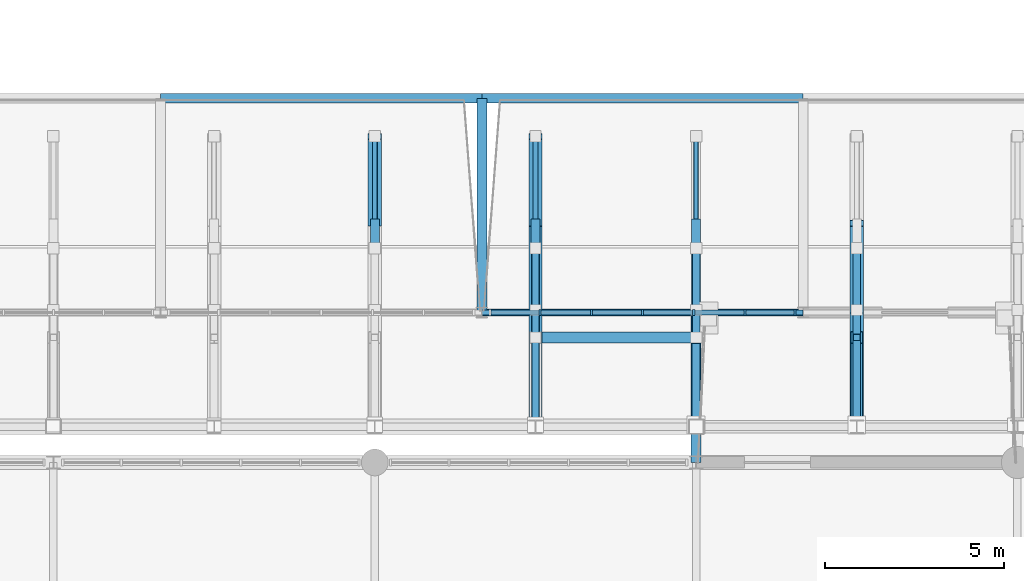
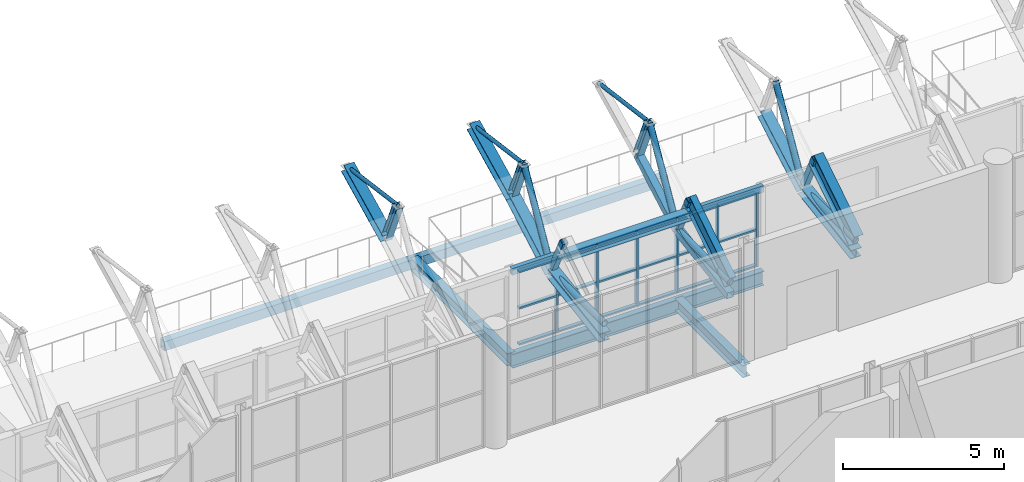
# One storey, part 60 of 134: 48 members, 8 beams, 1 element without a shape of its own.
"""IFC4 building model written with IfcOpenShell, lengths in metres."""

from ifc_helpers import new_model, si_unit, direction, frame, origin, origin_2d, place, context, subcontext, project, spatial, rectangle, hollow_rectangle, hollow_circle, i_section, extrude, material, layer, layer_set, material_profile, profile_set, type_object, element, aggregate, save


model = new_model("IFC4")

# Units and contexts
model_context = context("Model", 3, precision=1e-05, world=origin(), true_north=direction((0.0, 1.0)))
body_context = subcontext(model_context, "Body", "Model", "MODEL_VIEW")
ifc_project = project(units=[si_unit("LENGTHUNIT", "METRE"), si_unit("AREAUNIT", "SQUARE_METRE"), si_unit("VOLUMEUNIT", "CUBIC_METRE"), si_unit("PLANEANGLEUNIT", "RADIAN"), si_unit("MASSUNIT", "GRAM", prefix="KILO")], contexts=[model_context])

# Site, building, storey
site_placement = place(None, origin())
site = spatial("IfcSite", under=ifc_project, at=site_placement, CompositionType="ELEMENT")
building_placement = place(site_placement, origin())
building = spatial("IfcBuilding", under=site, at=building_placement, Name="Cazmaro Siding Exhibition Halls", CompositionType="ELEMENT")
storey_placement = place(building_placement, frame((0.0, 0.0, 12.0)))
storey = spatial("IfcBuildingStorey", under=building, at=storey_placement, Name="L02", CompositionType="ELEMENT", Elevation=12.0)

# Beams
ifc_material_1 = material(Name="Steel ASTM A992 Grade 50", Category="steel")
ifc_material_profile_1 = material_profile(ifc_material_1, i_section(OverallWidth=0.327880859375, OverallDepth=0.626953125, WebThickness=0.01708984375, FlangeThickness=0.028076171875, at=origin_2d()), Name="W24X146")
ifc_profile_set_1 = profile_set([ifc_material_profile_1], Name="Steel ASTM A992 Grade 50")
beam_type_1 = type_object("IfcBeamType", Name="AR-01", PredefinedType="USERDEFINED", material=ifc_profile_set_1)
beam_1_placement = place(storey_placement, frame((85.5, 64.0, 2.300048828125), z_axis=(0.0, 0.843339173298, 0.537381650954), x_axis=(-1.0, 0.0, 0.0)))
element("IfcBeam", 1, at=beam_1_placement, inside=storey, type_object=beam_type_1, Name="Space frame barrel vault arched rib AR-01 BM-0751", ObjectType="ARCHED RIB", PredefinedType="USERDEFINED", context=body_context, shape_type="SweptSolid", body=[
    extrude(i_section(OverallWidth=0.327880859375, OverallDepth=0.626953125, WebThickness=0.01708984375, FlangeThickness=0.028076171875, at=origin_2d()), origin(), (0.0, 0.0, 1.0), 2.96435546875),
])
ifc_material_2 = material(Name="Steel ASTM A992 Grade 50", Category="steel")
ifc_material_profile_2 = material_profile(ifc_material_2, i_section(OverallWidth=0.22900390625, OverallDepth=0.612060546875, WebThickness=0.011962890625, FlangeThickness=0.02001953125, at=origin_2d()), Name="W24X84")
ifc_profile_set_2 = profile_set([ifc_material_profile_2], Name="Steel ASTM A992 Grade 50")
beam_type_2 = type_object("IfcBeamType", Name="AR-03", PredefinedType="USERDEFINED", material=ifc_profile_set_2)
beam_2_placement = place(storey_placement, frame((81.0, 64.0, 2.300048828125), z_axis=(0.0, 0.843339173298, 0.537381650954), x_axis=(-1.0, 0.0, 0.0)))
element("IfcBeam", 2, at=beam_2_placement, inside=storey, type_object=beam_type_2, Name="Space frame barrel vault arched rib AR-03 BM-0727", ObjectType="ARCHED RIB", PredefinedType="USERDEFINED", context=body_context, shape_type="SweptSolid", body=[
    extrude(i_section(OverallWidth=0.22900390625, OverallDepth=0.612060546875, WebThickness=0.011962890625, FlangeThickness=0.02001953125, at=origin_2d()), origin(), (0.0, 0.0, 1.0), 2.96435546875),
])
ifc_material_3 = material(Name="Steel ASTM A992 Grade 50", Category="steel")
ifc_material_profile_3 = material_profile(ifc_material_3, i_section(OverallWidth=0.2099609375, OverallDepth=0.535888671875, WebThickness=0.010986328125, FlangeThickness=0.01708984375, at=origin_2d()), Name="W21X68")
ifc_profile_set_3 = profile_set([ifc_material_profile_3], Name="Steel ASTM A992 Grade 50")
beam_type_3 = type_object("IfcBeamType", Name="B-02", PredefinedType="BEAM", material=ifc_profile_set_3)
beam_3_placement = place(storey_placement, frame((75.0, 67.199951171875, -0.488037109375), z_axis=(1.0, 0.0, 0.0), x_axis=(0.0, 1.0, 0.0)))
element("IfcBeam", 3, at=beam_3_placement, inside=storey, type_object=beam_type_3, Name="Beam B-02 BM-0455", PredefinedType="BEAM", context=body_context, shape_type="SweptSolid", body=[
    extrude(i_section(OverallWidth=0.2099609375, OverallDepth=0.535888671875, WebThickness=0.010986328125, FlangeThickness=0.01708984375, at=origin_2d()), origin(), (0.0, 0.0, 1.0), 9.0),
])
ifc_material_4 = material(Name="Steel ASTM A992 Grade 50", Category="steel")
ifc_material_profile_4 = material_profile(ifc_material_4, i_section(OverallWidth=0.279052734375, OverallDepth=0.4619140625, WebThickness=0.010986328125, FlangeThickness=0.01708984375, at=origin_2d()), Name="W18X76")
ifc_profile_set_4 = profile_set([ifc_material_profile_4], Name="Steel ASTM A992 Grade 50")
beam_type_4 = type_object("IfcBeamType", Name="B-03", PredefinedType="BEAM", material=ifc_profile_set_4)
beam_4_placement = place(storey_placement, frame((75.0, 67.199951171875, -0.450927734375), z_axis=(0.0, 1.0, 0.0), x_axis=(-1.0, 0.0, 0.0)))
element("IfcBeam", 4, at=beam_4_placement, inside=storey, type_object=beam_type_4, Name="Beam B-03 BM-0475", PredefinedType="BEAM", context=body_context, shape_type="SweptSolid", body=[
    extrude(i_section(OverallWidth=0.279052734375, OverallDepth=0.4619140625, WebThickness=0.010986328125, FlangeThickness=0.01708984375, at=origin_2d()), origin(), (0.0, 0.0, 1.0), 6.0),
])
beam_5_placement = place(storey_placement, frame((81.0, 63.0, -0.450927734375), z_axis=(0.0, 1.0, 0.0), x_axis=(-1.0, 0.0, 0.0)))
element("IfcBeam", 5, at=beam_5_placement, inside=storey, type_object=beam_type_4, Name="Beam B-03 BM-2520", PredefinedType="BEAM", context=body_context, shape_type="SweptSolid", body=[
    extrude(i_section(OverallWidth=0.279052734375, OverallDepth=0.4619140625, WebThickness=0.010986328125, FlangeThickness=0.01708984375, at=origin_2d()), origin(), (0.0, 0.0, 1.0), 4.199951171875),
])
ifc_material_5 = material(Name="Steel ASTM A500 Grade C", Category="steel")
ifc_material_profile_5 = material_profile(ifc_material_5, hollow_rectangle(XDim=0.25390625, YDim=0.35595703125, WallThickness=0.014892578125, at=origin_2d()), Name="HSS14X10X5/8")
ifc_profile_set_5 = profile_set([ifc_material_profile_5], Name="Steel ASTM A500 Grade C")
beam_type_5 = type_object("IfcBeamType", Name="B-06", PredefinedType="BEAM", material=ifc_profile_set_5)
for number, where, z_axis, x_axis, name in (
    (6, (66.0, 73.199951171875, -0.39794921875), (1.0, 0.0, 0.0), (0.0, 1.0, 0.0), "Beam B-06 BM-0454"),
    (7, (75.0, 73.199951171875, -0.39794921875), (1.0, 0.0, 0.0), (0.0, 1.0, 0.0), "Beam B-06 BM-0456"),
):
    element("IfcBeam", number, at=place(storey_placement, frame(where, z_axis=z_axis, x_axis=x_axis)), inside=storey, type_object=beam_type_5, Name=name, PredefinedType="BEAM", context=body_context, shape_type="SweptSolid", body=[
        extrude(hollow_rectangle(XDim=0.25390625, YDim=0.35595703125, WallThickness=0.014892578125, at=origin_2d()), origin(), (0.0, 0.0, 1.0), 9.0),
    ])

# Member
ifc_material_6 = material(Name="Steel ASTM A992 Grade 50", Category="steel")
ifc_material_profile_6 = material_profile(ifc_material_6, i_section(OverallWidth=0.306884765625, OverallDepth=0.31396484375, WebThickness=0.011962890625, FlangeThickness=0.01904296875, at=origin_2d()), Name="W12X79")
ifc_profile_set_6 = profile_set([ifc_material_profile_6], Name="Steel ASTM A992 Grade 50")
member_type_1 = type_object("IfcMemberType", Name="CS-02", PredefinedType="STRUT", material=ifc_profile_set_6)
member_1_placement = place(storey_placement, frame((76.5, 66.5, 3.35302734375), z_axis=(1.0, 0.0, 0.0), x_axis=(0.0, 1.0, 0.0)))
element("IfcMember", 8, at=member_1_placement, inside=storey, type_object=member_type_1, Name="Space frame vault springing strut CS-02 MEM-2063", PredefinedType="STRUT", context=body_context, shape_type="SweptSolid", body=[
    extrude(i_section(OverallWidth=0.306884765625, OverallDepth=0.31396484375, WebThickness=0.011962890625, FlangeThickness=0.01904296875, at=origin_2d()), origin(), (0.0, 0.0, 1.0), 4.5),
])

# Curtain wall, members
ifc_material_7 = material(Name="Anodized Bronze Aluminum and Solar-Control Low-E Glazing", Category="aluminium")
ifc_layer = layer(ifc_material_7, 0.159912109375)
ifc_layer_set = layer_set([ifc_layer], Name="Anodized Bronze Aluminum and Solar-Control Low-E Glazing")
curtain_wall_type = type_object("IfcCurtainWallType", Name="CWS-04", PredefinedType="USERDEFINED", material=ifc_layer_set)
curtain_wall_placement = place(storey_placement, origin())
curtain_wall = element("IfcCurtainWall", 9, at=curtain_wall_placement, inside=storey, type_object=curtain_wall_type, Name="Clerestory Curtain Wall CWS-04 CW-013", ObjectType="CLERESTORY CURTAIN WALL", PredefinedType="USERDEFINED")
ifc_material_8 = material(Name="Anodized Bronze Extruded Aluminum", Category="aluminium")
ifc_material_profile_7 = material_profile(ifc_material_8, rectangle(XDim=0.159912109375, YDim=0.06005859375, at=origin_2d()), Name="CWM-04")
ifc_profile_set_7 = profile_set([ifc_material_profile_7], Name="Anodized Bronze Extruded Aluminum")
member_type_2 = type_object("IfcMemberType", Name="CWM-04", PredefinedType="MULLION", material=ifc_profile_set_7)
member_2_placement = place(storey_placement, frame((76.63134765625, 67.199951171875, 0.0), z_axis=(0.0, 0.0, 1.0), x_axis=(0.0, 1.0, 0.0)))
member_2 = element("IfcMember", 10, at=member_2_placement, type_object=member_type_2, Name="CWS-04 mullion 2", PredefinedType="MULLION", context=body_context, shape_type="SweptSolid", body=[
    extrude(rectangle(XDim=0.159912109375, YDim=0.06005859375, at=origin_2d()), origin(), (0.0, 0.0, 1.0), 2.800048828125),
])
member_3_placement = place(storey_placement, frame((78.065673828125, 67.199951171875, 0.0), z_axis=(0.0, 0.0, 1.0), x_axis=(0.0, 1.0, 0.0)))
member_3 = element("IfcMember", 11, at=member_3_placement, type_object=member_type_2, Name="CWS-04 mullion 3", PredefinedType="MULLION", context=body_context, shape_type="SweptSolid", body=[
    extrude(rectangle(XDim=0.159912109375, YDim=0.06005859375, at=origin_2d()), origin(), (0.0, 0.0, 1.0), 2.800048828125),
])
member_4_placement = place(storey_placement, frame((79.5, 67.199951171875, 0.0), z_axis=(0.0, 0.0, 1.0), x_axis=(0.0, 1.0, 0.0)))
member_4 = element("IfcMember", 12, at=member_4_placement, type_object=member_type_2, Name="CWS-04 mullion 4", PredefinedType="MULLION", context=body_context, shape_type="SweptSolid", body=[
    extrude(rectangle(XDim=0.159912109375, YDim=0.06005859375, at=origin_2d()), origin(), (0.0, 0.0, 1.0), 2.800048828125),
])
member_5_placement = place(storey_placement, frame((80.934326171875, 67.199951171875, 0.0), z_axis=(0.0, 0.0, 1.0), x_axis=(0.0, 1.0, 0.0)))
member_5 = element("IfcMember", 13, at=member_5_placement, type_object=member_type_2, Name="CWS-04 mullion 5", PredefinedType="MULLION", context=body_context, shape_type="SweptSolid", body=[
    extrude(rectangle(XDim=0.159912109375, YDim=0.06005859375, at=origin_2d()), origin(), (0.0, 0.0, 1.0), 2.800048828125),
])
member_6_placement = place(storey_placement, frame((82.36865234375, 67.199951171875, 0.0), z_axis=(0.0, 0.0, 1.0), x_axis=(0.0, 1.0, 0.0)))
member_6 = element("IfcMember", 14, at=member_6_placement, type_object=member_type_2, Name="CWS-04 mullion 6", PredefinedType="MULLION", context=body_context, shape_type="SweptSolid", body=[
    extrude(rectangle(XDim=0.159912109375, YDim=0.06005859375, at=origin_2d()), origin(), (0.0, 0.0, 1.0), 2.800048828125),
])
member_7_placement = place(storey_placement, frame((83.77294921875, 67.199951171875, 0.0), z_axis=(0.0, 0.0, 1.0), x_axis=(0.0, 1.0, 0.0)))
member_7 = element("IfcMember", 15, at=member_7_placement, type_object=member_type_2, Name="CWS-04 mullion 7", PredefinedType="MULLION", context=body_context, shape_type="SweptSolid", body=[
    extrude(rectangle(XDim=0.159912109375, YDim=0.06005859375, at=origin_2d()), origin(), (0.0, 0.0, 1.0), 2.800048828125),
])
ifc_material_9 = material(Name="Anodized Bronze Extruded Aluminum", Category="aluminium")
ifc_material_profile_8 = material_profile(ifc_material_9, rectangle(XDim=0.139892578125, YDim=0.06005859375, at=origin_2d()), Name="CWT-04")
ifc_profile_set_8 = profile_set([ifc_material_profile_8], Name="Anodized Bronze Extruded Aluminum")
member_type_3 = type_object("IfcMemberType", Name="CWT-04", PredefinedType="MULLION", material=ifc_profile_set_8)
member_8_placement = place(storey_placement, frame((75.257080078125, 67.199951171875, 0.030029296875), z_axis=(1.0, 0.0, 0.0), x_axis=(0.0, 1.0, 0.0)))
member_8 = element("IfcMember", 16, at=member_8_placement, type_object=member_type_3, Name="CWS-04 transom 1.1", ObjectType="TRANSOM", PredefinedType="USERDEFINED", context=body_context, shape_type="SweptSolid", body=[
    extrude(rectangle(XDim=0.139892578125, YDim=0.06005859375, at=origin_2d()), origin(), (0.0, 0.0, 1.0), 1.34423828125),
])
member_9_placement = place(storey_placement, frame((75.257080078125, 67.199951171875, 1.39990234375), z_axis=(1.0, 0.0, 0.0), x_axis=(0.0, 1.0, 0.0)))
member_9 = element("IfcMember", 17, at=member_9_placement, type_object=member_type_3, Name="CWS-04 transom 1.2", ObjectType="TRANSOM", PredefinedType="USERDEFINED", context=body_context, shape_type="SweptSolid", body=[
    extrude(rectangle(XDim=0.139892578125, YDim=0.06005859375, at=origin_2d()), origin(), (0.0, 0.0, 1.0), 1.34423828125),
])
member_10_placement = place(storey_placement, frame((75.257080078125, 67.199951171875, 2.77001953125), z_axis=(1.0, 0.0, 0.0), x_axis=(0.0, 1.0, 0.0)))
member_10 = element("IfcMember", 18, at=member_10_placement, type_object=member_type_3, Name="CWS-04 transom 1.3", ObjectType="TRANSOM", PredefinedType="USERDEFINED", context=body_context, shape_type="SweptSolid", body=[
    extrude(rectangle(XDim=0.139892578125, YDim=0.06005859375, at=origin_2d()), origin(), (0.0, 0.0, 1.0), 1.34423828125),
])
member_11_placement = place(storey_placement, frame((76.661376953125, 67.199951171875, 0.030029296875), z_axis=(1.0, 0.0, 0.0), x_axis=(0.0, 1.0, 0.0)))
member_11 = element("IfcMember", 19, at=member_11_placement, type_object=member_type_3, Name="CWS-04 transom 2.1", ObjectType="TRANSOM", PredefinedType="USERDEFINED", context=body_context, shape_type="SweptSolid", body=[
    extrude(rectangle(XDim=0.139892578125, YDim=0.06005859375, at=origin_2d()), origin(), (0.0, 0.0, 1.0), 1.374267578125),
])
member_12_placement = place(storey_placement, frame((76.661376953125, 67.199951171875, 1.39990234375), z_axis=(1.0, 0.0, 0.0), x_axis=(0.0, 1.0, 0.0)))
member_12 = element("IfcMember", 20, at=member_12_placement, type_object=member_type_3, Name="CWS-04 transom 2.2", ObjectType="TRANSOM", PredefinedType="USERDEFINED", context=body_context, shape_type="SweptSolid", body=[
    extrude(rectangle(XDim=0.139892578125, YDim=0.06005859375, at=origin_2d()), origin(), (0.0, 0.0, 1.0), 1.374267578125),
])
member_13_placement = place(storey_placement, frame((76.661376953125, 67.199951171875, 2.77001953125), z_axis=(1.0, 0.0, 0.0), x_axis=(0.0, 1.0, 0.0)))
member_13 = element("IfcMember", 21, at=member_13_placement, type_object=member_type_3, Name="CWS-04 transom 2.3", ObjectType="TRANSOM", PredefinedType="USERDEFINED", context=body_context, shape_type="SweptSolid", body=[
    extrude(rectangle(XDim=0.139892578125, YDim=0.06005859375, at=origin_2d()), origin(), (0.0, 0.0, 1.0), 1.374267578125),
])
member_14_placement = place(storey_placement, frame((78.095703125, 67.199951171875, 0.030029296875), z_axis=(1.0, 0.0, 0.0), x_axis=(0.0, 1.0, 0.0)))
member_14 = element("IfcMember", 22, at=member_14_placement, type_object=member_type_3, Name="CWS-04 transom 3.1", ObjectType="TRANSOM", PredefinedType="USERDEFINED", context=body_context, shape_type="SweptSolid", body=[
    extrude(rectangle(XDim=0.139892578125, YDim=0.06005859375, at=origin_2d()), origin(), (0.0, 0.0, 1.0), 1.374267578125),
])
member_15_placement = place(storey_placement, frame((78.095703125, 67.199951171875, 1.39990234375), z_axis=(1.0, 0.0, 0.0), x_axis=(0.0, 1.0, 0.0)))
member_15 = element("IfcMember", 23, at=member_15_placement, type_object=member_type_3, Name="CWS-04 transom 3.2", ObjectType="TRANSOM", PredefinedType="USERDEFINED", context=body_context, shape_type="SweptSolid", body=[
    extrude(rectangle(XDim=0.139892578125, YDim=0.06005859375, at=origin_2d()), origin(), (0.0, 0.0, 1.0), 1.374267578125),
])
member_16_placement = place(storey_placement, frame((78.095703125, 67.199951171875, 2.77001953125), z_axis=(1.0, 0.0, 0.0), x_axis=(0.0, 1.0, 0.0)))
member_16 = element("IfcMember", 24, at=member_16_placement, type_object=member_type_3, Name="CWS-04 transom 3.3", ObjectType="TRANSOM", PredefinedType="USERDEFINED", context=body_context, shape_type="SweptSolid", body=[
    extrude(rectangle(XDim=0.139892578125, YDim=0.06005859375, at=origin_2d()), origin(), (0.0, 0.0, 1.0), 1.374267578125),
])
member_17_placement = place(storey_placement, frame((79.530029296875, 67.199951171875, 0.030029296875), z_axis=(1.0, 0.0, 0.0), x_axis=(0.0, 1.0, 0.0)))
member_17 = element("IfcMember", 25, at=member_17_placement, type_object=member_type_3, Name="CWS-04 transom 4.1", ObjectType="TRANSOM", PredefinedType="USERDEFINED", context=body_context, shape_type="SweptSolid", body=[
    extrude(rectangle(XDim=0.139892578125, YDim=0.06005859375, at=origin_2d()), origin(), (0.0, 0.0, 1.0), 1.374267578125),
])
member_18_placement = place(storey_placement, frame((79.530029296875, 67.199951171875, 1.39990234375), z_axis=(1.0, 0.0, 0.0), x_axis=(0.0, 1.0, 0.0)))
member_18 = element("IfcMember", 26, at=member_18_placement, type_object=member_type_3, Name="CWS-04 transom 4.2", ObjectType="TRANSOM", PredefinedType="USERDEFINED", context=body_context, shape_type="SweptSolid", body=[
    extrude(rectangle(XDim=0.139892578125, YDim=0.06005859375, at=origin_2d()), origin(), (0.0, 0.0, 1.0), 1.374267578125),
])
member_19_placement = place(storey_placement, frame((79.530029296875, 67.199951171875, 2.77001953125), z_axis=(1.0, 0.0, 0.0), x_axis=(0.0, 1.0, 0.0)))
member_19 = element("IfcMember", 27, at=member_19_placement, type_object=member_type_3, Name="CWS-04 transom 4.3", ObjectType="TRANSOM", PredefinedType="USERDEFINED", context=body_context, shape_type="SweptSolid", body=[
    extrude(rectangle(XDim=0.139892578125, YDim=0.06005859375, at=origin_2d()), origin(), (0.0, 0.0, 1.0), 1.374267578125),
])
member_20_placement = place(storey_placement, frame((80.96435546875, 67.199951171875, 0.030029296875), z_axis=(1.0, 0.0, 0.0), x_axis=(0.0, 1.0, 0.0)))
member_20 = element("IfcMember", 28, at=member_20_placement, type_object=member_type_3, Name="CWS-04 transom 5.1", ObjectType="TRANSOM", PredefinedType="USERDEFINED", context=body_context, shape_type="SweptSolid", body=[
    extrude(rectangle(XDim=0.139892578125, YDim=0.06005859375, at=origin_2d()), origin(), (0.0, 0.0, 1.0), 1.374267578125),
])
member_21_placement = place(storey_placement, frame((80.96435546875, 67.199951171875, 1.39990234375), z_axis=(1.0, 0.0, 0.0), x_axis=(0.0, 1.0, 0.0)))
member_21 = element("IfcMember", 29, at=member_21_placement, type_object=member_type_3, Name="CWS-04 transom 5.2", ObjectType="TRANSOM", PredefinedType="USERDEFINED", context=body_context, shape_type="SweptSolid", body=[
    extrude(rectangle(XDim=0.139892578125, YDim=0.06005859375, at=origin_2d()), origin(), (0.0, 0.0, 1.0), 1.374267578125),
])
member_22_placement = place(storey_placement, frame((80.96435546875, 67.199951171875, 2.77001953125), z_axis=(1.0, 0.0, 0.0), x_axis=(0.0, 1.0, 0.0)))
member_22 = element("IfcMember", 30, at=member_22_placement, type_object=member_type_3, Name="CWS-04 transom 5.3", ObjectType="TRANSOM", PredefinedType="USERDEFINED", context=body_context, shape_type="SweptSolid", body=[
    extrude(rectangle(XDim=0.139892578125, YDim=0.06005859375, at=origin_2d()), origin(), (0.0, 0.0, 1.0), 1.374267578125),
])
member_23_placement = place(storey_placement, frame((82.398681640625, 67.199951171875, 0.030029296875), z_axis=(1.0, 0.0, 0.0), x_axis=(0.0, 1.0, 0.0)))
member_23 = element("IfcMember", 31, at=member_23_placement, type_object=member_type_3, Name="CWS-04 transom 6.1", ObjectType="TRANSOM", PredefinedType="USERDEFINED", context=body_context, shape_type="SweptSolid", body=[
    extrude(rectangle(XDim=0.139892578125, YDim=0.06005859375, at=origin_2d()), origin(), (0.0, 0.0, 1.0), 1.34423828125),
])
member_24_placement = place(storey_placement, frame((82.398681640625, 67.199951171875, 1.39990234375), z_axis=(1.0, 0.0, 0.0), x_axis=(0.0, 1.0, 0.0)))
member_24 = element("IfcMember", 32, at=member_24_placement, type_object=member_type_3, Name="CWS-04 transom 6.2", ObjectType="TRANSOM", PredefinedType="USERDEFINED", context=body_context, shape_type="SweptSolid", body=[
    extrude(rectangle(XDim=0.139892578125, YDim=0.06005859375, at=origin_2d()), origin(), (0.0, 0.0, 1.0), 1.34423828125),
])
member_25_placement = place(storey_placement, frame((82.398681640625, 67.199951171875, 2.77001953125), z_axis=(1.0, 0.0, 0.0), x_axis=(0.0, 1.0, 0.0)))
member_25 = element("IfcMember", 33, at=member_25_placement, type_object=member_type_3, Name="CWS-04 transom 6.3", ObjectType="TRANSOM", PredefinedType="USERDEFINED", context=body_context, shape_type="SweptSolid", body=[
    extrude(rectangle(XDim=0.139892578125, YDim=0.06005859375, at=origin_2d()), origin(), (0.0, 0.0, 1.0), 1.34423828125),
])
aggregate(curtain_wall, [member_2, member_3, member_4, member_5, member_6, member_7, member_8, member_9, member_10, member_11, member_12, member_13, member_14, member_15, member_16, member_17, member_18, member_19, member_20, member_21, member_22, member_23, member_24, member_25])

# Beam
ifc_material_10 = material(Name="Steel ASTM A500 Grade C", Category="steel")
ifc_material_profile_9 = material_profile(ifc_material_10, hollow_rectangle(XDim=0.152099609375, YDim=0.25390625, WallThickness=0.011962890625, at=origin_2d()), Name="HSS10X6X1/2")
ifc_profile_set_9 = profile_set([ifc_material_profile_9], Name="Steel ASTM A500 Grade C")
beam_type_6 = type_object("IfcBeamType", Name="SP-02", PredefinedType="SPANDREL", material=ifc_profile_set_9)
beam_6_placement = place(storey_placement, frame((75.0, 67.199951171875, 2.873046875), z_axis=(1.0, 0.0, 0.0), x_axis=(0.0, 1.0, 0.0)))
element("IfcBeam", 34, at=beam_6_placement, inside=storey, type_object=beam_type_6, Name="Beam SP-02 BM-0235", PredefinedType="SPANDREL", context=body_context, shape_type="SweptSolid", body=[
    extrude(hollow_rectangle(XDim=0.152099609375, YDim=0.25390625, WallThickness=0.011962890625, at=origin_2d()), origin(), (0.0, 0.0, 1.0), 9.0),
])

# Members
ifc_material_11 = material(Name="Steel ASTM A500 Grade C", Category="steel")
ifc_material_profile_10 = material_profile(ifc_material_11, hollow_rectangle(XDim=0.25390625, YDim=0.25390625, WallThickness=0.014892578125, at=origin_2d()), Name="HSS10X10X5/8")
ifc_profile_set_10 = profile_set([ifc_material_profile_10], Name="Steel ASTM A500 Grade C")
member_type_4 = type_object("IfcMemberType", Name="TC-01", PredefinedType="CHORD", material=ifc_profile_set_10)
member_26_placement = place(storey_placement, frame((81.0, 64.0, 1.800048828125), z_axis=(0.0, 0.988252010809, 0.152833121839), x_axis=(-1.0, 0.0, 0.0)))
element("IfcMember", 35, at=member_26_placement, inside=storey, type_object=member_type_4, Name="Space frame barrel vault bottom chord TC-01 MEM-0521", PredefinedType="CHORD", context=body_context, shape_type="SweptSolid", body=[
    extrude(hollow_rectangle(XDim=0.25390625, YDim=0.25390625, WallThickness=0.014892578125, at=origin_2d()), origin(), (0.0, 0.0, 1.0), 3.309814453125),
])
member_27_placement = place(storey_placement, frame((81.0, 67.27099609375, 2.305908203125), z_axis=(0.0, 0.871222319466, 0.490888653428), x_axis=(-1.0, 0.0, 0.0)))
element("IfcMember", 36, at=member_27_placement, inside=storey, type_object=member_type_4, Name="Space frame barrel vault bottom chord TC-01 MEM-0523", PredefinedType="CHORD", context=body_context, shape_type="SweptSolid", body=[
    extrude(hollow_rectangle(XDim=0.25390625, YDim=0.25390625, WallThickness=0.014892578125, at=origin_2d()), origin(), (0.0, 0.0, 1.0), 2.7890625),
])
ifc_material_12 = material(Name="Steel ASTM A992 Grade 50", Category="steel")
ifc_material_profile_11 = material_profile(ifc_material_12, i_section(OverallWidth=0.37109375, OverallDepth=0.364013671875, WebThickness=0.012939453125, FlangeThickness=0.02197265625, at=origin_2d()), Name="W14X109")
ifc_profile_set_11 = profile_set([ifc_material_profile_11], Name="Steel ASTM A992 Grade 50")
member_type_5 = type_object("IfcMemberType", Name="TC-06", PredefinedType="CHORD", material=ifc_profile_set_11)
member_28_placement = place(storey_placement, frame((72.0, 69.700927734375, 3.675048828125), z_axis=(0.0, 0.896077457924, 0.443897724033), x_axis=(-1.0, 0.0, 0.0)))
element("IfcMember", 37, at=member_28_placement, inside=storey, type_object=member_type_5, Name="Space frame barrel vault bottom chord TC-06 MEM-0383", PredefinedType="CHORD", context=body_context, shape_type="SweptSolid", body=[
    extrude(i_section(OverallWidth=0.37109375, OverallDepth=0.364013671875, WebThickness=0.012939453125, FlangeThickness=0.02197265625, at=origin_2d()), origin(), (0.0, 0.0, 1.0), 2.7119140625),
])
member_29_placement = place(storey_placement, frame((76.5, 64.0, 1.800048828125), z_axis=(0.0, 0.988252010809, 0.152833121839), x_axis=(-1.0, 0.0, 0.0)))
element("IfcMember", 38, at=member_29_placement, inside=storey, type_object=member_type_5, Name="Space frame barrel vault bottom chord TC-06 MEM-0450", PredefinedType="CHORD", context=body_context, shape_type="SweptSolid", body=[
    extrude(i_section(OverallWidth=0.37109375, OverallDepth=0.364013671875, WebThickness=0.012939453125, FlangeThickness=0.02197265625, at=origin_2d()), origin(), (0.0, 0.0, 1.0), 3.309814453125),
])
member_30_placement = place(storey_placement, frame((76.5, 67.27099609375, 2.305908203125), z_axis=(0.0, 0.871222319466, 0.490888653428), x_axis=(-1.0, 0.0, 0.0)))
element("IfcMember", 39, at=member_30_placement, inside=storey, type_object=member_type_5, Name="Space frame barrel vault bottom chord TC-06 MEM-0452", PredefinedType="CHORD", context=body_context, shape_type="SweptSolid", body=[
    extrude(i_section(OverallWidth=0.37109375, OverallDepth=0.364013671875, WebThickness=0.012939453125, FlangeThickness=0.02197265625, at=origin_2d()), origin(), (0.0, 0.0, 1.0), 2.7890625),
])
member_31_placement = place(storey_placement, frame((76.5, 69.700927734375, 3.675048828125), z_axis=(0.0, 0.896077457924, 0.443897724033), x_axis=(-1.0, 0.0, 0.0)))
element("IfcMember", 40, at=member_31_placement, inside=storey, type_object=member_type_5, Name="Space frame barrel vault bottom chord TC-06 MEM-0454", PredefinedType="CHORD", context=body_context, shape_type="SweptSolid", body=[
    extrude(i_section(OverallWidth=0.37109375, OverallDepth=0.364013671875, WebThickness=0.012939453125, FlangeThickness=0.02197265625, at=origin_2d()), origin(), (0.0, 0.0, 1.0), 2.7119140625),
])
member_32_placement = place(storey_placement, frame((85.5, 64.0, 1.800048828125), z_axis=(0.0, 0.988252010809, 0.152833121839), x_axis=(-1.0, 0.0, 0.0)))
element("IfcMember", 41, at=member_32_placement, inside=storey, type_object=member_type_5, Name="Space frame barrel vault bottom chord TC-06 MEM-0592", PredefinedType="CHORD", context=body_context, shape_type="SweptSolid", body=[
    extrude(i_section(OverallWidth=0.37109375, OverallDepth=0.364013671875, WebThickness=0.012939453125, FlangeThickness=0.02197265625, at=origin_2d()), origin(), (0.0, 0.0, 1.0), 3.309814453125),
])
member_33_placement = place(storey_placement, frame((85.5, 67.27099609375, 2.305908203125), z_axis=(0.0, 0.871222319466, 0.490888653428), x_axis=(-1.0, 0.0, 0.0)))
element("IfcMember", 42, at=member_33_placement, inside=storey, type_object=member_type_5, Name="Space frame barrel vault bottom chord TC-06 MEM-0594", PredefinedType="CHORD", context=body_context, shape_type="SweptSolid", body=[
    extrude(i_section(OverallWidth=0.37109375, OverallDepth=0.364013671875, WebThickness=0.012939453125, FlangeThickness=0.02197265625, at=origin_2d()), origin(), (0.0, 0.0, 1.0), 2.7890625),
])
ifc_material_13 = material(Name="Steel ASTM A500 Grade C", Category="steel")
ifc_material_profile_12 = material_profile(ifc_material_13, hollow_rectangle(XDim=0.202880859375, YDim=0.202880859375, WallThickness=0.011962890625, at=origin_2d()), Name="HSS8X8X1/2")
ifc_profile_set_12 = profile_set([ifc_material_profile_12], Name="Steel ASTM A500 Grade C")
member_type_6 = type_object("IfcMemberType", Name="TP-01", PredefinedType="POST", material=ifc_profile_set_12)
for number, where, z_axis, x_axis, name in (
    (43, (76.5, 67.27099609375, 2.305908203125), (0.0, -0.436945543824, 0.89948796086), (1.0, 0.0, 0.0), "Space frame barrel vault post TP-01 MEM-0498"),
    (44, (81.0, 67.27099609375, 2.305908203125), (0.0, -0.436945543824, 0.89948796086), (1.0, 0.0, 0.0), "Space frame barrel vault post TP-01 MEM-0569"),
    (45, (85.5, 67.27099609375, 2.305908203125), (0.0, -0.436945543824, 0.89948796086), (1.0, 0.0, 0.0), "Space frame barrel vault post TP-01 MEM-0640"),
):
    element("IfcMember", number, at=place(storey_placement, frame(where, z_axis=z_axis, x_axis=x_axis)), inside=storey, type_object=member_type_6, Name=name, PredefinedType="POST", context=body_context, shape_type="SweptSolid", body=[
        extrude(hollow_rectangle(XDim=0.202880859375, YDim=0.202880859375, WallThickness=0.011962890625, at=origin_2d()), origin(), (0.0, 0.0, 1.0), 1.764404296875),
    ])
ifc_material_14 = material(Name="Steel ASTM A992 Grade 50", Category="steel")
ifc_material_profile_13 = material_profile(ifc_material_14, i_section(OverallWidth=0.25390625, OverallDepth=0.25390625, WebThickness=0.009033203125, FlangeThickness=0.013916015625, at=origin_2d()), Name="W10X49")
ifc_profile_set_13 = profile_set([ifc_material_profile_13], Name="Steel ASTM A992 Grade 50")
member_type_7 = type_object("IfcMemberType", Name="TP-04", PredefinedType="POST", material=ifc_profile_set_13)
for number, where, z_axis, x_axis, name in (
    (46, (72.0, 69.700927734375, 3.675048828125), (0.0, -0.395865434272, 0.918308530913), (1.0, 0.0, 0.0), "Space frame barrel vault post TP-04 MEM-0428"),
    (47, (76.5, 69.700927734375, 3.675048828125), (0.0, -0.395865434272, 0.918308530913), (1.0, 0.0, 0.0), "Space frame barrel vault post TP-04 MEM-0499"),
    (48, (81.0, 69.700927734375, 3.675048828125), (0.0, -0.395865434272, 0.918308530913), (1.0, 0.0, 0.0), "Space frame barrel vault post TP-04 MEM-0570"),
):
    element("IfcMember", number, at=place(storey_placement, frame(where, z_axis=z_axis, x_axis=x_axis)), inside=storey, type_object=member_type_7, Name=name, PredefinedType="POST", context=body_context, shape_type="SweptSolid", body=[
        extrude(i_section(OverallWidth=0.25390625, OverallDepth=0.25390625, WebThickness=0.009033203125, FlangeThickness=0.013916015625, at=origin_2d()), origin(), (0.0, 0.0, 1.0), 1.7705078125),
    ])
ifc_material_15 = material(Name="Steel ASTM A500 Grade C", Category="steel")
ifc_material_profile_14 = material_profile(ifc_material_15, hollow_circle(Radius=0.109619140625, WallThickness=0.012939453125, at=origin_2d()), Name="PIPE8XS")
ifc_profile_set_14 = profile_set([ifc_material_profile_14], Name="Steel ASTM A500 Grade C")
member_type_8 = type_object("IfcMemberType", Name="WB-01", PredefinedType="BRACE", material=ifc_profile_set_14)
member_34_placement = place(storey_placement, frame((76.5, 64.0, 2.300048828125), z_axis=(0.0, 0.999998395604, 0.001791309262), x_axis=(-1.0, 0.0, 0.0)))
element("IfcMember", 49, at=member_34_placement, inside=storey, type_object=member_type_8, Name="Space frame barrel vault diagonal WB-01 MEM-0451", PredefinedType="BRACE", context=body_context, shape_type="SweptSolid", body=[
    extrude(hollow_circle(Radius=0.109619140625, WallThickness=0.012939453125, at=origin_2d()), origin(), (0.0, 0.0, 1.0), 3.27099609375),
])
member_35_placement = place(storey_placement, frame((76.5, 67.27099609375, 2.305908203125), z_axis=(0.0, 0.499950595228, 0.866053925764), x_axis=(-1.0, 0.0, 0.0)))
element("IfcMember", 50, at=member_35_placement, inside=storey, type_object=member_type_8, Name="Space frame barrel vault diagonal WB-01 MEM-0453", PredefinedType="BRACE", context=body_context, shape_type="SweptSolid", body=[
    extrude(hollow_circle(Radius=0.109619140625, WallThickness=0.012939453125, at=origin_2d()), origin(), (0.0, 0.0, 1.0), 3.458251953125),
])
member_36_placement = place(storey_placement, frame((81.0, 64.0, 2.300048828125), z_axis=(0.0, 0.999998395604, 0.001791309262), x_axis=(-1.0, 0.0, 0.0)))
element("IfcMember", 51, at=member_36_placement, inside=storey, type_object=member_type_8, Name="Space frame barrel vault diagonal WB-01 MEM-0522", PredefinedType="BRACE", context=body_context, shape_type="SweptSolid", body=[
    extrude(hollow_circle(Radius=0.109619140625, WallThickness=0.012939453125, at=origin_2d()), origin(), (0.0, 0.0, 1.0), 3.27099609375),
])
member_37_placement = place(storey_placement, frame((81.0, 67.27099609375, 2.305908203125), z_axis=(0.0, 0.499950595228, 0.866053925764), x_axis=(-1.0, 0.0, 0.0)))
element("IfcMember", 52, at=member_37_placement, inside=storey, type_object=member_type_8, Name="Space frame barrel vault diagonal WB-01 MEM-0524", PredefinedType="BRACE", context=body_context, shape_type="SweptSolid", body=[
    extrude(hollow_circle(Radius=0.109619140625, WallThickness=0.012939453125, at=origin_2d()), origin(), (0.0, 0.0, 1.0), 3.458251953125),
])
member_38_placement = place(storey_placement, frame((85.5, 64.0, 2.300048828125), z_axis=(0.0, 0.999998395604, 0.001791309262), x_axis=(-1.0, 0.0, 0.0)))
element("IfcMember", 53, at=member_38_placement, inside=storey, type_object=member_type_8, Name="Space frame barrel vault diagonal WB-01 MEM-0593", PredefinedType="BRACE", context=body_context, shape_type="SweptSolid", body=[
    extrude(hollow_circle(Radius=0.109619140625, WallThickness=0.012939453125, at=origin_2d()), origin(), (0.0, 0.0, 1.0), 3.27099609375),
])
member_39_placement = place(storey_placement, frame((85.5, 67.27099609375, 2.305908203125), z_axis=(0.0, 0.499950595228, 0.866053925764), x_axis=(-1.0, 0.0, 0.0)))
element("IfcMember", 54, at=member_39_placement, inside=storey, type_object=member_type_8, Name="Space frame barrel vault diagonal WB-01 MEM-0595", PredefinedType="BRACE", context=body_context, shape_type="SweptSolid", body=[
    extrude(hollow_circle(Radius=0.109619140625, WallThickness=0.012939453125, at=origin_2d()), origin(), (0.0, 0.0, 1.0), 3.458251953125),
])
ifc_material_16 = material(Name="Steel ASTM A500 Grade C", Category="steel")
ifc_material_profile_15 = material_profile(ifc_material_16, hollow_circle(Radius=0.070556640625, WallThickness=0.01904296875, at=origin_2d()), Name="PIPE5XXS")
ifc_profile_set_15 = profile_set([ifc_material_profile_15], Name="Steel ASTM A500 Grade C")
member_type_9 = type_object("IfcMemberType", Name="WB-07", PredefinedType="BRACE", material=ifc_profile_set_15)
for number, where, z_axis, x_axis, name in (
    (55, (72.0, 69.0, 5.301025390625), (0.0, 0.991034510477, -0.133606134005), (-1.0, 0.0, 0.0), "Space frame barrel vault diagonal WB-07 MEM-0384"),
    (56, (76.5, 69.0, 5.301025390625), (0.0, 0.991034510477, -0.133606134005), (-1.0, 0.0, 0.0), "Space frame barrel vault diagonal WB-07 MEM-0455"),
    (57, (81.0, 69.0, 5.301025390625), (0.0, 0.991034510477, -0.133606134005), (-1.0, 0.0, 0.0), "Space frame barrel vault diagonal WB-07 MEM-0526"),
):
    element("IfcMember", number, at=place(storey_placement, frame(where, z_axis=z_axis, x_axis=x_axis)), inside=storey, type_object=member_type_9, Name=name, PredefinedType="BRACE", context=body_context, shape_type="SweptSolid", body=[
        extrude(hollow_circle(Radius=0.070556640625, WallThickness=0.01904296875, at=origin_2d()), origin(), (0.0, 0.0, 1.0), 3.159423828125),
    ])

save(model, "model.ifc")
